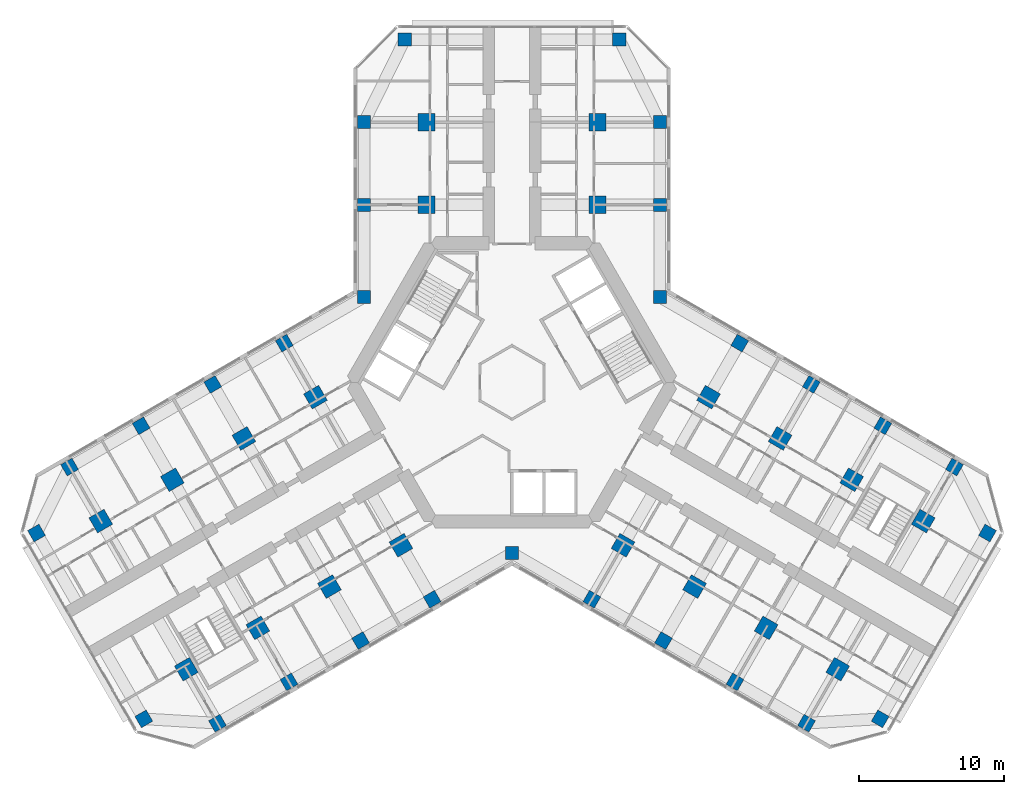
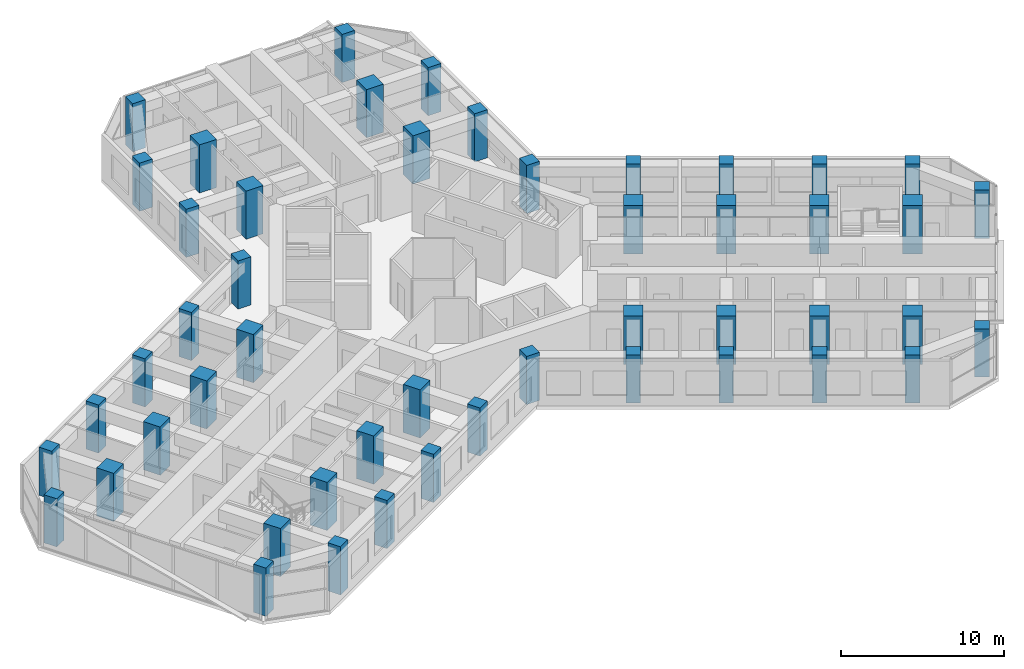
# One storey, part 1 of 20: 49 columns.
"""IFC4 building model written with IfcOpenShell, lengths in metres."""

from ifc_helpers import new_model, si_unit, direction, frame, origin, origin_2d, place, context, subcontext, project, spatial, rectangle, extrude, material, material_profile, profile_set, type_object, element, save


model = new_model("IFC4")

# Units and contexts
model_context = context("Model", 3, precision=1e-05, world=origin(), true_north=direction((0.0, 1.0)))
body_context = subcontext(model_context, "Body", "Model", "MODEL_VIEW")
ifc_project = project(units=[si_unit("LENGTHUNIT", "METRE"), si_unit("AREAUNIT", "SQUARE_METRE"), si_unit("VOLUMEUNIT", "CUBIC_METRE"), si_unit("PLANEANGLEUNIT", "RADIAN"), si_unit("MASSUNIT", "GRAM", prefix="KILO")], contexts=[model_context])

# Site, building, storey
site_placement = place(None, origin())
site = spatial("IfcSite", under=ifc_project, at=site_placement, CompositionType="ELEMENT")
building_placement = place(site_placement, origin())
building = spatial("IfcBuilding", under=site, at=building_placement, Name="Kosmar Iwan School Tower", CompositionType="ELEMENT")
storey_placement = place(building_placement, frame((0.0, 0.0, 179.60009765625)))
storey = spatial("IfcBuildingStorey", under=building, at=storey_placement, Name="L45", CompositionType="ELEMENT", Elevation=179.60009765625)

# Columns
ifc_material_1 = material(Name="Concrete C50/60", Category="concrete")
ifc_material_profile_1 = material_profile(ifc_material_1, rectangle(XDim=0.89990234375, YDim=0.89990234375, at=origin_2d()), Name="RC 900x900 + HD 400x347")
ifc_profile_set_1 = profile_set([ifc_material_profile_1], Name="Concrete C50/60")
column_type_1 = type_object("IfcColumnType", Name="Composite column 900x900 HD 400x347", PredefinedType="COLUMN", material=ifc_profile_set_1)
for number, where, z_axis, x_axis, name in (
    (1, (-10.199951171875, 12.25, 0.0), (0.0, 0.0, 1.0), (0.0, 1.0, 0.0), "Column AL1 L45"),
    (2, (-10.199951171875, 17.949951171875, 0.0), (0.0, 0.0, 1.0), (0.0, 1.0, 0.0), "Column AL2 L45"),
    (3, (-7.39990234375, 23.64990234375, 0.0), (0.0, 0.0, 1.0), (0.0, 1.0, 0.0), "Column ALTIP L45"),
    (4, (10.199951171875, 12.25, 0.0), (0.0, 0.0, 1.0), (0.0, 1.0, 0.0), "Column AR1 L45"),
    (5, (10.199951171875, 17.949951171875, 0.0), (0.0, 0.0, 1.0), (0.0, 1.0, 0.0), "Column AR2 L45"),
    (6, (7.39990234375, 23.64990234375, 0.0), (0.0, 0.0, 1.0), (0.0, 1.0, 0.0), "Column ARTIP L45"),
    (7, (-5.5087890625, -14.95849609375, 0.0), (0.0, 0.0, 1.0), (-0.866025403784, -0.5, 0.0), "Column BL1 L45"),
    (8, (-10.445068359375, -17.808349609375, 0.0), (0.0, 0.0, 1.0), (-0.866025403784, -0.5, 0.0), "Column BL2 L45"),
    (9, (-15.381591796875, -20.658447265625, 0.0), (0.0, 0.0, 1.0), (-0.866025403784, -0.5, 0.0), "Column BL3 L45"),
    (10, (-20.31787109375, -23.508544921875, 0.0), (0.0, 0.0, 1.0), (-0.866025403784, -0.5, 0.0), "Column BL4 L45"),
    (11, (-25.3984375, -23.20849609375, 0.0), (0.0, 0.0, 1.0), (-0.866025403784, -0.5, 0.0), "Column BLTIP L45"),
    (12, (-15.708740234375, 2.70849609375, 0.0), (0.0, 0.0, 1.0), (-0.866025403784, -0.5, 0.0), "Column BR1 L45"),
    (13, (-20.645263671875, -0.1416015625, 0.0), (0.0, 0.0, 1.0), (-0.866025403784, -0.5, 0.0), "Column BR2 L45"),
    (14, (-25.58154296875, -2.991455078125, 0.0), (0.0, 0.0, 1.0), (-0.866025403784, -0.5, 0.0), "Column BR3 L45"),
    (15, (-30.517822265625, -5.841552734375, 0.0), (0.0, 0.0, 1.0), (-0.866025403784, -0.5, 0.0), "Column BR4 L45"),
    (16, (-32.79833984375, -10.391357421875, 0.0), (0.0, 0.0, 1.0), (-0.866025403784, -0.5, 0.0), "Column BRTIP L45"),
    (17, (15.708740234375, 2.70849609375, 0.0), (0.0, 0.0, 1.0), (0.866025403784, -0.5, 0.0), "Column CL1 L45"),
    (18, (20.645263671875, -0.1416015625, 0.0), (0.0, 0.0, 1.0), (0.866025403784, -0.5, 0.0), "Column CL2 L45"),
    (19, (25.58154296875, -2.991455078125, 0.0), (0.0, 0.0, 1.0), (0.866025403784, -0.5, 0.0), "Column CL3 L45"),
    (20, (30.517822265625, -5.841552734375, 0.0), (0.0, 0.0, 1.0), (0.866025403784, -0.5, 0.0), "Column CL4 L45"),
    (21, (32.79833984375, -10.391357421875, 0.0), (0.0, 0.0, 1.0), (0.866025403784, -0.5, 0.0), "Column CLTIP L45"),
    (22, (5.5087890625, -14.95849609375, 0.0), (0.0, 0.0, 1.0), (0.866025403784, -0.5, 0.0), "Column CR1 L45"),
    (23, (10.445068359375, -17.808349609375, 0.0), (0.0, 0.0, 1.0), (0.866025403784, -0.5, 0.0), "Column CR2 L45"),
    (24, (15.381591796875, -20.658447265625, 0.0), (0.0, 0.0, 1.0), (0.866025403784, -0.5, 0.0), "Column CR3 L45"),
    (25, (20.31787109375, -23.508544921875, 0.0), (0.0, 0.0, 1.0), (0.866025403784, -0.5, 0.0), "Column CR4 L45"),
    (26, (25.3984375, -23.20849609375, 0.0), (0.0, 0.0, 1.0), (0.866025403784, -0.5, 0.0), "Column CRTIP L45"),
    (27, (-10.199951171875, 5.888916015625, 0.0), (0.0, 0.0, 1.0), (1.0, 0.0, 0.0), "Column RAB L45"),
    (28, (10.199951171875, 5.888916015625, 0.0), (0.0, 0.0, 1.0), (1.0, 0.0, 0.0), "Column RAC L45"),
    (29, (0.0, -11.77783203125, 0.0), (0.0, 0.0, 1.0), (1.0, 0.0, 0.0), "Column RBC L45"),
):
    element("IfcColumn", number, at=place(storey_placement, frame(where, z_axis=z_axis, x_axis=x_axis)), inside=storey, type_object=column_type_1, Name=name, PredefinedType="COLUMN", context=body_context, shape_type="SweptSolid", body=[
        extrude(rectangle(XDim=0.89990234375, YDim=0.89990234375, at=origin_2d()), origin(), (0.0, 0.0, 1.0), 3.599853515625),
    ])
ifc_material_2 = material(Name="Concrete C50/60", Category="concrete")
ifc_material_profile_2 = material_profile(ifc_material_2, rectangle(XDim=1.199951171875, YDim=1.199951171875, at=origin_2d()), Name="RC 1200x1200")
ifc_profile_set_2 = profile_set([ifc_material_profile_2], Name="Concrete C50/60")
column_type_2 = type_object("IfcColumnType", Name="RC interior column 1200x1200", PredefinedType="COLUMN", material=ifc_profile_set_2)
for number, where, z_axis, x_axis, name in (
    (30, (-5.89990234375, 12.25, 0.0), (0.0, 0.0, 1.0), (0.0, 1.0, 0.0), "Interior column ALI1 L45"),
    (31, (-5.89990234375, 17.949951171875, 0.0), (0.0, 0.0, 1.0), (0.0, 1.0, 0.0), "Interior column ALI2 L45"),
    (32, (5.89990234375, 12.25, 0.0), (0.0, 0.0, 1.0), (0.0, 1.0, 0.0), "Interior column ARI1 L45"),
    (33, (5.89990234375, 17.949951171875, 0.0), (0.0, 0.0, 1.0), (0.0, 1.0, 0.0), "Interior column ARI2 L45"),
    (34, (-7.65869140625, -11.234619140625, 0.0), (0.0, 0.0, 1.0), (-0.866025403784, -0.5, 0.0), "Interior column BLI1 L45"),
    (35, (-12.59521484375, -14.08447265625, 0.0), (0.0, 0.0, 1.0), (-0.866025403784, -0.5, 0.0), "Interior column BLI2 L45"),
    (36, (-17.531494140625, -16.9345703125, 0.0), (0.0, 0.0, 1.0), (-0.866025403784, -0.5, 0.0), "Interior column BLI3 L45"),
    (37, (-22.4677734375, -19.78466796875, 0.0), (0.0, 0.0, 1.0), (-0.866025403784, -0.5, 0.0), "Interior column BLI4 L45"),
    (38, (-13.558837890625, -1.015380859375, 0.0), (0.0, 0.0, 1.0), (-0.866025403784, -0.5, 0.0), "Interior column BRI1 L45"),
    (39, (-18.4951171875, -3.865478515625, 0.0), (0.0, 0.0, 1.0), (-0.866025403784, -0.5, 0.0), "Interior column BRI2 L45"),
    (40, (-23.431396484375, -6.71533203125, 0.0), (0.0, 0.0, 1.0), (-0.866025403784, -0.5, 0.0), "Interior column BRI3 L45"),
    (41, (-28.367919921875, -9.5654296875, 0.0), (0.0, 0.0, 1.0), (-0.866025403784, -0.5, 0.0), "Interior column BRI4 L45"),
    (42, (13.558837890625, -1.015380859375, 0.0), (0.0, 0.0, 1.0), (0.866025403784, -0.5, 0.0), "Interior column CLI1 L45"),
    (43, (18.4951171875, -3.865478515625, 0.0), (0.0, 0.0, 1.0), (0.866025403784, -0.5, 0.0), "Interior column CLI2 L45"),
    (44, (23.431396484375, -6.71533203125, 0.0), (0.0, 0.0, 1.0), (0.866025403784, -0.5, 0.0), "Interior column CLI3 L45"),
    (45, (28.367919921875, -9.5654296875, 0.0), (0.0, 0.0, 1.0), (0.866025403784, -0.5, 0.0), "Interior column CLI4 L45"),
    (46, (7.65869140625, -11.234619140625, 0.0), (0.0, 0.0, 1.0), (0.866025403784, -0.5, 0.0), "Interior column CRI1 L45"),
    (47, (12.59521484375, -14.08447265625, 0.0), (0.0, 0.0, 1.0), (0.866025403784, -0.5, 0.0), "Interior column CRI2 L45"),
    (48, (17.531494140625, -16.9345703125, 0.0), (0.0, 0.0, 1.0), (0.866025403784, -0.5, 0.0), "Interior column CRI3 L45"),
    (49, (22.4677734375, -19.78466796875, 0.0), (0.0, 0.0, 1.0), (0.866025403784, -0.5, 0.0), "Interior column CRI4 L45"),
):
    element("IfcColumn", number, at=place(storey_placement, frame(where, z_axis=z_axis, x_axis=x_axis)), inside=storey, type_object=column_type_2, Name=name, PredefinedType="COLUMN", context=body_context, shape_type="SweptSolid", body=[
        extrude(rectangle(XDim=1.199951171875, YDim=1.199951171875, at=origin_2d()), origin(), (0.0, 0.0, 1.0), 3.599853515625),
    ])

save(model, "model.ifc")
